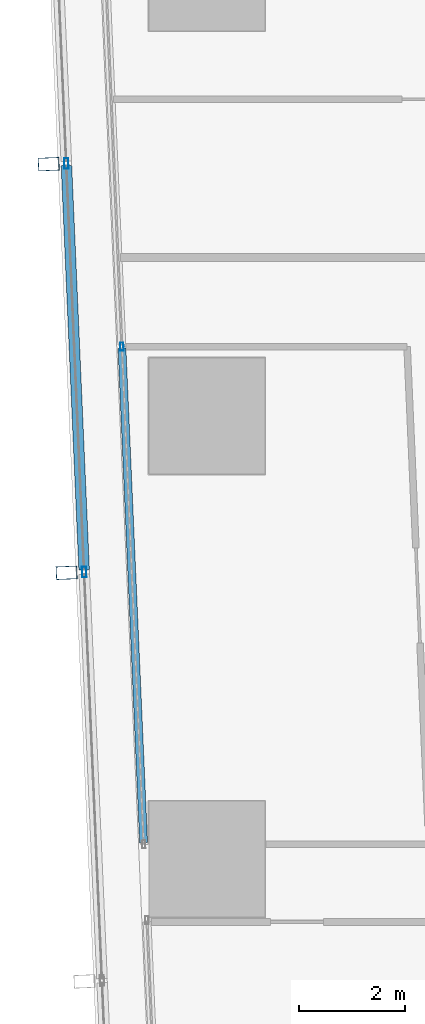
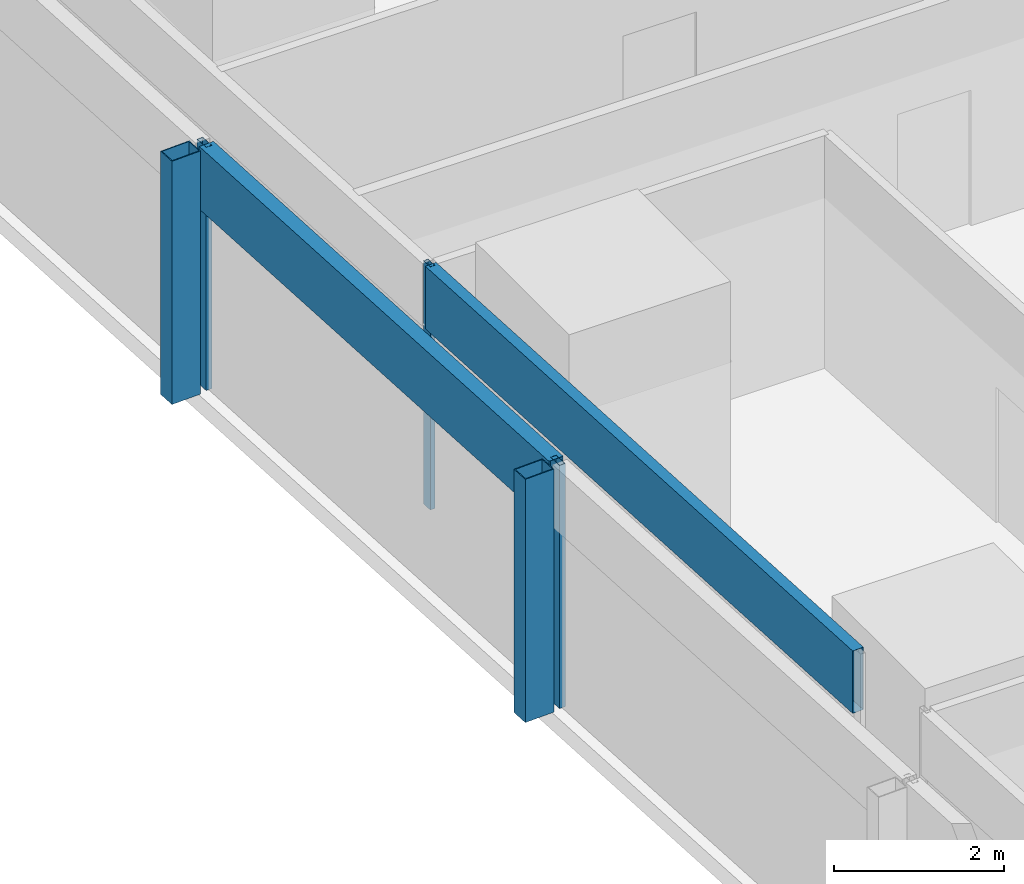
# One storey, part 7 of 44: 7 members, 2 elements without a shape of their own.
"""IFC4 building model written with IfcOpenShell, lengths in metres."""

from ifc_helpers import new_model, si_unit, direction, frame, origin, origin_2d, place, context, subcontext, project, spatial, hollow_rectangle, extrude, material, material_profile, profile_set, type_object, element, aggregate, save


model = new_model("IFC4")

# Units and contexts
model_context = context("Model", 3, precision=1e-05, world=origin(), true_north=direction((0.0, 1.0)))
body_context = subcontext(model_context, "Body", "Model", "MODEL_VIEW")
ifc_project = project(units=[si_unit("LENGTHUNIT", "METRE"), si_unit("AREAUNIT", "SQUARE_METRE"), si_unit("VOLUMEUNIT", "CUBIC_METRE"), si_unit("PLANEANGLEUNIT", "RADIAN"), si_unit("MASSUNIT", "GRAM", prefix="KILO")], contexts=[model_context])

# Site, building, storey
site_placement = place(None, origin())
site = spatial("IfcSite", under=ifc_project, at=site_placement, CompositionType="ELEMENT")
building_placement = place(site_placement, origin())
building = spatial("IfcBuilding", under=site, at=building_placement, Name="Rekha Terrace Tower", CompositionType="ELEMENT")
storey_placement = place(building_placement, frame((0.0, 0.0, 66.64990234375)))
storey = spatial("IfcBuildingStorey", under=building, at=storey_placement, Name="L16", CompositionType="ELEMENT", Elevation=66.64990234375)

# Curtain wall, members
ifc_material_1 = material(Name="Aluminium framing", Category="aluminium")
curtain_wall_type_1 = type_object("IfcCurtainWallType", Name="CW2 double skin outer glazing", PredefinedType="USERDEFINED", material=ifc_material_1)
curtain_wall_1_placement = place(storey_placement, origin())
curtain_wall_1 = element("IfcCurtainWall", 1, at=curtain_wall_1_placement, inside=storey, type_object=curtain_wall_type_1, Name="CW2 double skin outer glazing", ObjectType="DOUBLE SKIN OUTER GLAZING", PredefinedType="USERDEFINED")
ifc_material_2 = material(Name="Steel S355 with fluorocarbon finish", Category="steel")
ifc_material_profile_1 = material_profile(ifc_material_2, hollow_rectangle(XDim=0.25, YDim=0.39990234375, WallThickness=0.012451171875, at=origin_2d()), Name="RHS400x250x12.5")
ifc_profile_set_1 = profile_set([ifc_material_profile_1], Name="Steel S355 with fluorocarbon finish")
member_type_1 = type_object("IfcMemberType", Name="BL1 facade blade RHS 400 x 250", PredefinedType="USERDEFINED", material=ifc_profile_set_1)
member_1_placement = place(storey_placement, frame((5.40283203125, 29.97119140625, 0.0), z_axis=(0.0, 0.0, 1.0), x_axis=(0.04368215933, -0.999045478923, 0.0)))
member_1 = element("IfcMember", 2, at=member_1_placement, type_object=member_type_1, Name="Facade blade", ObjectType="FACADE BLADE", PredefinedType="USERDEFINED", context=body_context, shape_type="SweptSolid", body=[
    extrude(hollow_rectangle(XDim=0.25, YDim=0.39990234375, WallThickness=0.012451171875, at=origin_2d()), origin(), (0.0, 0.0, 1.0), 3.5),
])
member_2_placement = place(storey_placement, frame((5.74169921875, 22.226806640625, 0.0), z_axis=(0.0, 0.0, 1.0), x_axis=(0.04368215933, -0.999045478923, 0.0)))
member_2 = element("IfcMember", 3, at=member_2_placement, type_object=member_type_1, Name="Facade blade", ObjectType="FACADE BLADE", PredefinedType="USERDEFINED", context=body_context, shape_type="SweptSolid", body=[
    extrude(hollow_rectangle(XDim=0.25, YDim=0.39990234375, WallThickness=0.012451171875, at=origin_2d()), origin(), (0.0, 0.0, 1.0), 3.5),
])

curtain_wall_type_2 = type_object("IfcCurtainWallType", Name="CW1 double skin inner glazing", PredefinedType="USERDEFINED", material=ifc_material_1)
curtain_wall_2_placement = place(storey_placement, origin())
curtain_wall_2 = element("IfcCurtainWall", 4, at=curtain_wall_2_placement, inside=storey, type_object=curtain_wall_type_2, Name="CW1 double skin inner glazing", ObjectType="DOUBLE SKIN INNER GLAZING", PredefinedType="USERDEFINED")
ifc_material_3 = material(Name="Aluminium mullion section", Category="aluminium")
ifc_material_profile_2 = material_profile(ifc_material_3, hollow_rectangle(XDim=0.06494140625, YDim=0.14990234375, WallThickness=0.00390625, at=origin_2d()), Name="AL RHS 65x150")
ifc_profile_set_2 = profile_set([ifc_material_profile_2], Name="Aluminium mullion section")
member_type_2 = type_object("IfcMemberType", Name="CW1 mullion RHS 65 x 150", PredefinedType="MULLION", material=ifc_profile_set_2)
member_3_placement = place(storey_placement, frame((6.790283203125, 26.5126953125, 0.0), z_axis=(0.0, 0.0, 1.0), x_axis=(0.999045462133, 0.043682543337, 0.0)))
member_3 = element("IfcMember", 5, at=member_3_placement, type_object=member_type_2, Name="CW1 mullion 3", PredefinedType="MULLION", context=body_context, shape_type="SweptSolid", body=[
    extrude(hollow_rectangle(XDim=0.06494140625, YDim=0.14990234375, WallThickness=0.00390625, at=origin_2d()), origin(), (0.0, 0.0, 1.0), 3.5),
])
ifc_material_4 = material(Name="Insulated aluminium spandrel box", Category="aluminium")
ifc_material_profile_3 = material_profile(ifc_material_4, hollow_rectangle(XDim=0.14990234375, YDim=0.89990234375, WallThickness=0.0029296875, at=origin_2d()), Name="AL SPANDREL BOX 150x900")
ifc_profile_set_3 = profile_set([ifc_material_profile_3], Name="Insulated aluminium spandrel box")
member_type_3 = type_object("IfcMemberType", Name="CW1 spandrel transom 150 x 900", PredefinedType="USERDEFINED", material=ifc_profile_set_3)
member_4_placement = place(storey_placement, frame((6.791748046875, 26.480224609375, 3.050048828125), z_axis=(0.043688050697, -0.999045221312, 0.0), x_axis=(0.999045221312, 0.043688050697, 0.0)))
member_4 = element("IfcMember", 6, at=member_4_placement, type_object=member_type_3, Name="CW1 spandrel transom 3", ObjectType="TRANSOM", PredefinedType="USERDEFINED", context=body_context, shape_type="SweptSolid", body=[
    extrude(hollow_rectangle(XDim=0.14990234375, YDim=0.89990234375, WallThickness=0.0029296875, at=origin_2d()), origin(), (0.0, 0.0, 1.0), 9.377197265625),
])
aggregate(curtain_wall_2, [member_3, member_4])

# Member
ifc_material_profile_4 = material_profile(ifc_material_3, hollow_rectangle(XDim=0.080078125, YDim=0.199951171875, WallThickness=0.00390625, at=origin_2d()), Name="AL RHS 80x200")
ifc_profile_set_4 = profile_set([ifc_material_profile_4], Name="Aluminium mullion section")
member_type_4 = type_object("IfcMemberType", Name="CW2 mullion RHS 80 x 200", PredefinedType="MULLION", material=ifc_profile_set_4)
member_5_placement = place(storey_placement, frame((5.737548828125, 29.98583984375, 0.0), z_axis=(0.0, 0.0, 1.0), x_axis=(0.999045462131, 0.043682543372, 0.0)))
member_5 = element("IfcMember", 7, at=member_5_placement, type_object=member_type_4, Name="CW2 mullion 3", PredefinedType="MULLION", context=body_context, shape_type="SweptSolid", body=[
    extrude(hollow_rectangle(XDim=0.080078125, YDim=0.199951171875, WallThickness=0.00390625, at=origin_2d()), origin(), (0.0, 0.0, 1.0), 3.5),
])

member_6_placement = place(storey_placement, frame((6.076171875, 22.241455078125, 0.0), z_axis=(0.0, 0.0, 1.0), x_axis=(0.999045462131, 0.043682543372, 0.0)))
member_6 = element("IfcMember", 8, at=member_6_placement, type_object=member_type_4, Name="CW2 mullion 4", PredefinedType="MULLION", context=body_context, shape_type="SweptSolid", body=[
    extrude(hollow_rectangle(XDim=0.080078125, YDim=0.199951171875, WallThickness=0.00390625, at=origin_2d()), origin(), (0.0, 0.0, 1.0), 3.5),
])

ifc_material_profile_5 = material_profile(ifc_material_4, hollow_rectangle(XDim=0.199951171875, YDim=0.89990234375, WallThickness=0.0029296875, at=origin_2d()), Name="AL SPANDREL BOX 200x900")
ifc_profile_set_5 = profile_set([ifc_material_profile_5], Name="Insulated aluminium spandrel box")
member_type_5 = type_object("IfcMemberType", Name="CW2 spandrel transom 200 x 900", PredefinedType="USERDEFINED", material=ifc_profile_set_5)
member_7_placement = place(storey_placement, frame((5.7392578125, 29.94580078125, 3.050048828125), z_axis=(0.04369270591, -0.99904501773, 0.0), x_axis=(0.99904501773, 0.04369270591, 0.0)))
member_7 = element("IfcMember", 9, at=member_7_placement, type_object=member_type_5, Name="CW2 spandrel transom 3", ObjectType="TRANSOM", PredefinedType="USERDEFINED", context=body_context, shape_type="SweptSolid", body=[
    extrude(hollow_rectangle(XDim=0.199951171875, YDim=0.89990234375, WallThickness=0.0029296875, at=origin_2d()), origin(), (0.0, 0.0, 1.0), 7.671875),
])

aggregate(curtain_wall_1, [member_5, member_6, member_7, member_1, member_2])

save(model, "model.ifc")
